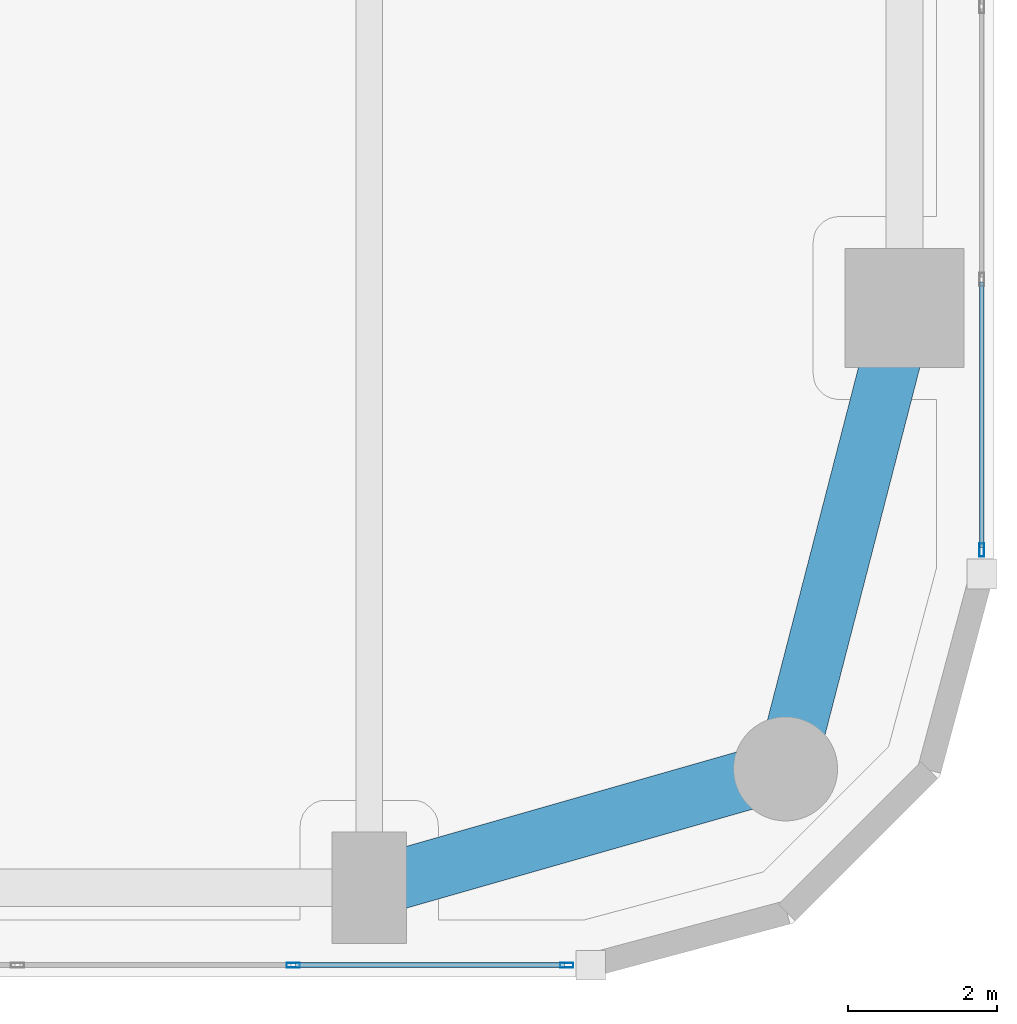
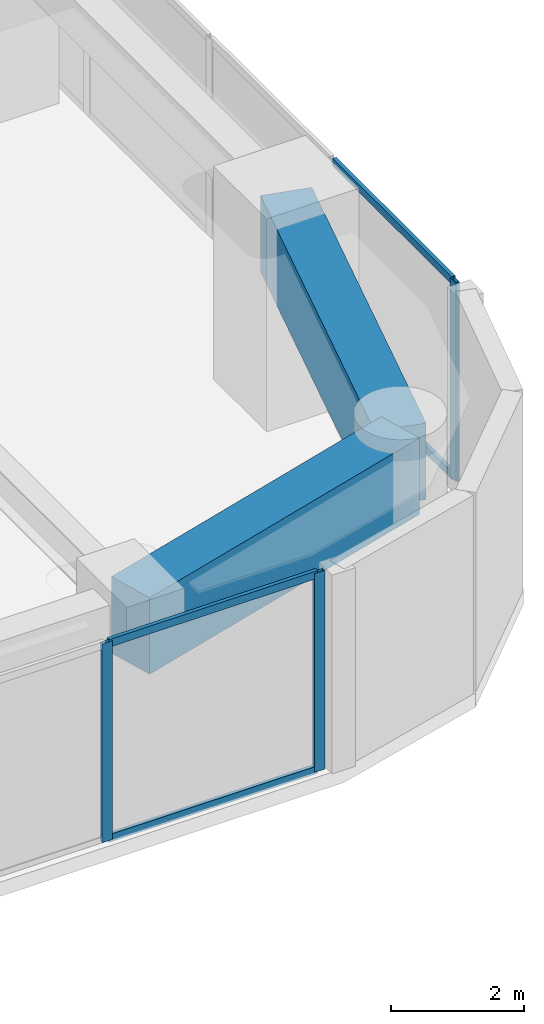
# One storey, part 7 of 26: 7 members, 2 beams, 2 elements without a shape of their own.
"""IFC4 building model written with IfcOpenShell, lengths in metres."""

from ifc_helpers import new_model, si_unit, direction, frame, origin, origin_2d, place, context, subcontext, project, spatial, rectangle, hollow_rectangle, extrude, material, layer, layer_set, material_profile, profile_set, type_object, element, aggregate, save


model = new_model("IFC4")

# Units and contexts
model_context = context("Model", 3, precision=1e-05, world=origin(), true_north=direction((0.0, 1.0)))
body_context = subcontext(model_context, "Body", "Model", "MODEL_VIEW")
ifc_project = project(units=[si_unit("LENGTHUNIT", "METRE"), si_unit("AREAUNIT", "SQUARE_METRE"), si_unit("VOLUMEUNIT", "CUBIC_METRE"), si_unit("PLANEANGLEUNIT", "RADIAN"), si_unit("MASSUNIT", "GRAM", prefix="KILO")], contexts=[model_context])

# Site, building, storey
site_placement = place(None, origin())
site = spatial("IfcSite", under=ifc_project, at=site_placement, CompositionType="ELEMENT")
building_placement = place(site_placement, origin())
building = spatial("IfcBuilding", under=site, at=building_placement, Name="Kiyonajd Concourse Tower", CompositionType="ELEMENT")
storey_placement = place(building_placement, frame((0.0, 0.0, 72.89990234375)))
storey = spatial("IfcBuildingStorey", under=building, at=storey_placement, Name="L19", CompositionType="ELEMENT", Elevation=72.89990234375)

# Beams
ifc_material_1 = material(Name="Concrete C60/75", Category="concrete")
ifc_material_profile_1 = material_profile(ifc_material_1, rectangle(XDim=0.800048828125, YDim=1.39990234375, at=origin_2d()), Name="RCBM-800x1400")
ifc_profile_set_1 = profile_set([ifc_material_profile_1], Name="Concrete C60/75")
beam_type = type_object("IfcBeamType", Name="BM-XFER-RC", PredefinedType="BEAM", material=ifc_profile_set_1)
beam_1_placement = place(storey_placement, frame((70.800048828125, 10.800048828125, 2.940185546875), z_axis=(0.961528693205, 0.274704517878, 0.0), x_axis=(-0.274704517878, 0.961528693205, 0.0)))
element("IfcBeam", 1, at=beam_1_placement, inside=storey, type_object=beam_type, Name="L19 Perimeter Bundled Tube Spandrel", PredefinedType="BEAM", context=body_context, shape_type="SweptSolid", body=[
    extrude(rectangle(XDim=0.800048828125, YDim=1.39990234375, at=origin_2d()), origin(), (0.0, 0.0, 1.0), 5.823974609375),
])
beam_2_placement = place(storey_placement, frame((76.39990234375, 12.39990234375, 2.940185546875), z_axis=(0.249884937687, 0.968275538221, 0.0), x_axis=(-0.968275538221, 0.249884937687, 0.0)))
element("IfcBeam", 2, at=beam_2_placement, inside=storey, type_object=beam_type, Name="L19 Perimeter Bundled Tube Spandrel", PredefinedType="BEAM", context=body_context, shape_type="SweptSolid", body=[
    extrude(rectangle(XDim=0.800048828125, YDim=1.39990234375, at=origin_2d()), origin(), (0.0, 0.0, 1.0), 6.4033203125),
])

# Curtain wall, member
ifc_material_2 = material(Name="Thermally Broken Anodised Aluminium", Category="aluminium")
ifc_layer = layer(ifc_material_2, 0.179931640625)
ifc_layer_set = layer_set([ifc_layer], Name="Thermally Broken Anodised Aluminium")
curtain_wall_type = type_object("IfcCurtainWallType", Name="CW-SYS-02", PredefinedType="NOTDEFINED", material=ifc_layer_set)
curtain_wall_1_placement = place(storey_placement, origin())
curtain_wall_1 = element("IfcCurtainWall", 3, at=curtain_wall_1_placement, inside=storey, type_object=curtain_wall_type, Name="L19 Unitised Curtain Wall CW2", PredefinedType="NOTDEFINED")
ifc_material_profile_2 = material_profile(ifc_material_2, hollow_rectangle(XDim=0.06494140625, YDim=0.179931640625, WallThickness=0.00390625, at=origin_2d()), Name="MULL-65x180")
ifc_profile_set_2 = profile_set([ifc_material_profile_2], Name="Thermally Broken Anodised Aluminium")
member_type_1 = type_object("IfcMemberType", Name="MB-CW-MULL1", PredefinedType="MULLION", material=ifc_profile_set_2)
member_1_placement = place(storey_placement, frame((79.0400390625, 15.343505859375, 0.0), z_axis=(0.0, 0.0, 1.0), x_axis=(1.0, 0.0, 0.0)))
member_1 = element("IfcMember", 4, at=member_1_placement, type_object=member_type_1, Name="CW2 mullion 7", PredefinedType="MULLION", context=body_context, shape_type="SweptSolid", body=[
    extrude(hollow_rectangle(XDim=0.06494140625, YDim=0.179931640625, WallThickness=0.00390625, at=origin_2d()), origin(), (0.0, 0.0, 1.0), 3.64013671875),
])

# Curtain wall, members
curtain_wall_2_placement = place(storey_placement, origin())
curtain_wall_2 = element("IfcCurtainWall", 5, at=curtain_wall_2_placement, inside=storey, type_object=curtain_wall_type, Name="L19 Unitised Curtain Wall CW2", PredefinedType="NOTDEFINED")
member_2_placement = place(storey_placement, frame((73.456298828125, 9.760009765625, 0.0), z_axis=(0.0, 0.0, 1.0), x_axis=(0.0, -1.0, 0.0)))
member_2 = element("IfcMember", 6, at=member_2_placement, type_object=member_type_1, Name="CW2 mullion 1", PredefinedType="MULLION", context=body_context, shape_type="SweptSolid", body=[
    extrude(hollow_rectangle(XDim=0.06494140625, YDim=0.179931640625, WallThickness=0.00390625, at=origin_2d()), origin(), (0.0, 0.0, 1.0), 3.64013671875),
])
member_3_placement = place(storey_placement, frame((69.778076171875, 9.760009765625, 0.0), z_axis=(0.0, 0.0, 1.0), x_axis=(0.0, -1.0, 0.0)))
member_3 = element("IfcMember", 7, at=member_3_placement, type_object=member_type_1, Name="CW2 mullion 2", PredefinedType="MULLION", context=body_context, shape_type="SweptSolid", body=[
    extrude(hollow_rectangle(XDim=0.06494140625, YDim=0.179931640625, WallThickness=0.00390625, at=origin_2d()), origin(), (0.0, 0.0, 1.0), 3.64013671875),
])

# Member
ifc_material_profile_3 = material_profile(ifc_material_2, hollow_rectangle(XDim=0.06494140625, YDim=0.139892578125, WallThickness=0.00390625, at=origin_2d()), Name="TRAN-65x140")
ifc_profile_set_3 = profile_set([ifc_material_profile_3], Name="Thermally Broken Anodised Aluminium")
member_type_2 = type_object("IfcMemberType", Name="MB-CW-TRAN1", PredefinedType="USERDEFINED", material=ifc_profile_set_3)
member_4_placement = place(storey_placement, frame((79.0400390625, 18.95166015625, 0.03271484375), z_axis=(0.0, -1.0, 0.0), x_axis=(1.0, 0.0, 0.0)))
member_4 = element("IfcMember", 8, at=member_4_placement, type_object=member_type_2, Name="CW2 transom 6.1", ObjectType="TRANSOM", PredefinedType="USERDEFINED", context=body_context, shape_type="SweptSolid", body=[
    extrude(hollow_rectangle(XDim=0.06494140625, YDim=0.139892578125, WallThickness=0.00390625, at=origin_2d()), origin(), (0.0, 0.0, 1.0), 3.575439453125),
])

member_5_placement = place(storey_placement, frame((79.0400390625, 18.95166015625, 3.607666015625), z_axis=(0.0, -1.0, 0.0), x_axis=(1.0, 0.0, 0.0)))
member_5 = element("IfcMember", 9, at=member_5_placement, type_object=member_type_2, Name="CW2 transom 6.2", ObjectType="TRANSOM", PredefinedType="USERDEFINED", context=body_context, shape_type="SweptSolid", body=[
    extrude(hollow_rectangle(XDim=0.06494140625, YDim=0.139892578125, WallThickness=0.00390625, at=origin_2d()), origin(), (0.0, 0.0, 1.0), 3.575439453125),
])

aggregate(curtain_wall_1, [member_1, member_4, member_5])

member_6_placement = place(storey_placement, frame((73.423828125, 9.760009765625, 0.03271484375), z_axis=(-1.0, 0.0, 0.0), x_axis=(0.0, -1.0, 0.0)))
member_6 = element("IfcMember", 10, at=member_6_placement, type_object=member_type_2, Name="CW2 transom 1.1", ObjectType="TRANSOM", PredefinedType="USERDEFINED", context=body_context, shape_type="SweptSolid", body=[
    extrude(hollow_rectangle(XDim=0.06494140625, YDim=0.139892578125, WallThickness=0.00390625, at=origin_2d()), origin(), (0.0, 0.0, 1.0), 3.613037109375),
])

member_7_placement = place(storey_placement, frame((73.423828125, 9.760009765625, 3.607666015625), z_axis=(-1.0, 0.0, 0.0), x_axis=(0.0, -1.0, 0.0)))
member_7 = element("IfcMember", 11, at=member_7_placement, type_object=member_type_2, Name="CW2 transom 1.2", ObjectType="TRANSOM", PredefinedType="USERDEFINED", context=body_context, shape_type="SweptSolid", body=[
    extrude(hollow_rectangle(XDim=0.06494140625, YDim=0.139892578125, WallThickness=0.00390625, at=origin_2d()), origin(), (0.0, 0.0, 1.0), 3.613037109375),
])

aggregate(curtain_wall_2, [member_2, member_3, member_6, member_7])

save(model, "model.ifc")
